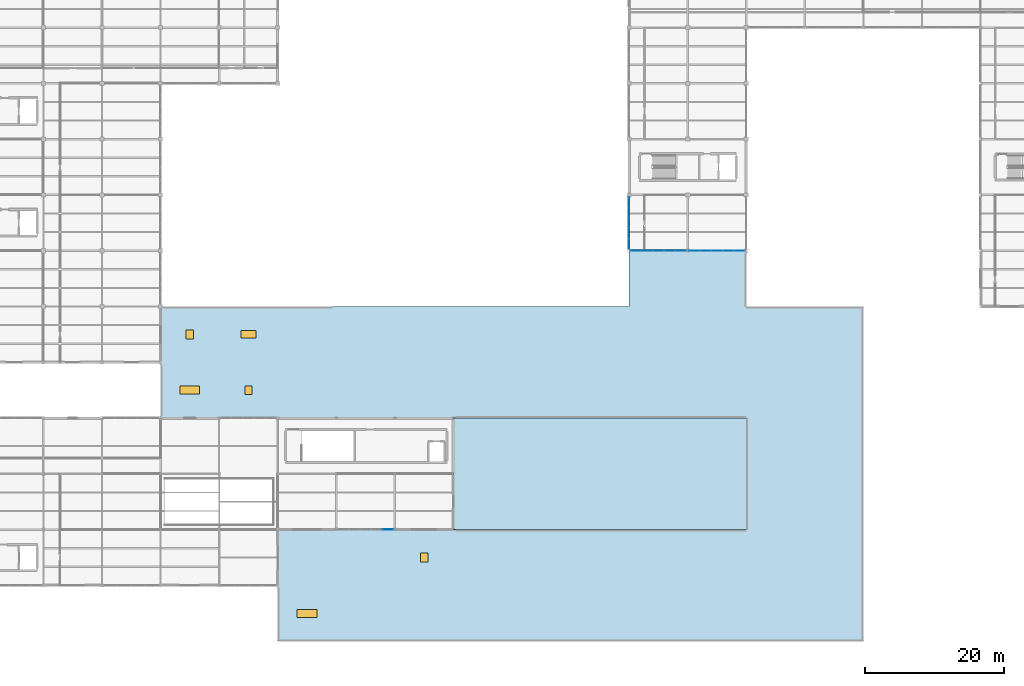
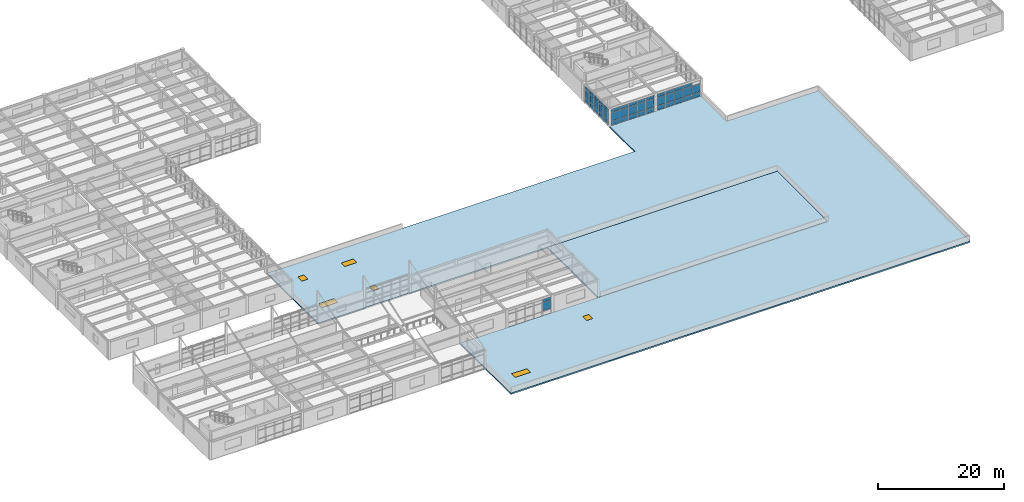
# One storey, part 38 of 96: 46 plates, 3 doors, 3 windows, 2 slabs, 6 openings, 4 elements without a shape of their own.
"""IFC4 building model written with IfcOpenShell, lengths in metres."""

from ifc_helpers import new_model, si_unit, direction, frame, origin, origin_2d, place, context, subcontext, project, spatial, polyline, rectangle, outline, extrude, material, layer, layer_set, type_object, element, fill, aggregate, save


model = new_model("IFC4")

# Units and contexts
model_context = context("Model", 3, precision=1e-05, world=origin(), true_north=direction((0.0, 1.0)))
body_context = subcontext(model_context, "Body", "Model", "MODEL_VIEW")
ifc_project = project(units=[si_unit("LENGTHUNIT", "METRE"), si_unit("AREAUNIT", "SQUARE_METRE"), si_unit("VOLUMEUNIT", "CUBIC_METRE"), si_unit("PLANEANGLEUNIT", "RADIAN"), si_unit("MASSUNIT", "GRAM", prefix="KILO")], contexts=[model_context])

# Site, building, storey
site_placement = place(None, origin())
site = spatial("IfcSite", under=ifc_project, at=site_placement, CompositionType="ELEMENT")
building_placement = place(site_placement, origin())
building = spatial("IfcBuilding", under=site, at=building_placement, Name="Kranzveld Transit Interchange", CompositionType="ELEMENT")
storey_placement = place(building_placement, frame((0.0, 0.0, 9.52001953125)))
storey = spatial("IfcBuildingStorey", under=building, at=storey_placement, Name="L02", CompositionType="ELEMENT", Elevation=9.52001953125)

# Slab, openings, doors, windows
ifc_material_1 = material(Name="Concrete C35/45", Category="concrete")
ifc_layer_1 = layer(ifc_material_1, 0.280029296875)
ifc_layer_set_1 = layer_set([ifc_layer_1], Name="Concrete C35/45")
slab_type_1 = type_object("IfcSlabType", Name="Bus & Concourse Roof Slab 280 C35/45", PredefinedType="ROOF", material=ifc_layer_set_1)
slab_1_placement = place(storey_placement, frame((0.0, 0.0, -0.280029296875)))
slab_1 = element("IfcSlab", 1, at=slab_1_placement, inside=storey, type_object=slab_type_1, Name="L02 Flat Roof Slab 1", PredefinedType="ROOF", context=body_context, shape_type="SweptSolid", body=[
    extrude(outline(polyline([(50.39990234375, 24.0), (75.60009765625, 24.0), (117.60009765625, 24.0), (117.60009765625, 40.0), (75.60009765625, 40.0), (50.39990234375, 40.0), (33.60009765625, 40.0), (33.60009765625, 48.0), (33.60009765625, 56.0), (58.800048828125, 56.0), (100.800048828125, 56.0), (100.800048828125, 64.0), (117.60009765625, 64.0), (117.60009765625, 56.0), (134.39990234375, 56.0), (134.39990234375, 40.0), (134.39990234375, 8.0), (50.39990234375, 8.0), (50.39990234375, 16.0), (50.39990234375, 24.0)]), holes=[polyline([(36.39990234375, 43.425048828125), (39.199951171875, 43.425048828125), (39.199951171875, 44.574951171875), (36.39990234375, 44.574951171875), (36.39990234375, 43.425048828125)]), polyline([(37.25, 51.35009765625), (38.35009765625, 51.35009765625), (38.35009765625, 52.64990234375), (37.25, 52.64990234375), (37.25, 51.35009765625)]), polyline([(45.699951171875, 43.39990234375), (46.699951171875, 43.39990234375), (46.699951171875, 44.60009765625), (45.699951171875, 44.60009765625), (45.699951171875, 43.39990234375)]), polyline([(45.10009765625, 51.449951171875), (47.300048828125, 51.449951171875), (47.300048828125, 52.550048828125), (45.10009765625, 52.550048828125), (45.10009765625, 51.449951171875)]), polyline([(53.199951171875, 11.425048828125), (56.0, 11.425048828125), (56.0, 12.574951171875), (53.199951171875, 12.574951171875), (53.199951171875, 11.425048828125)]), polyline([(70.85009765625, 19.35009765625), (71.949951171875, 19.35009765625), (71.949951171875, 20.64990234375), (70.85009765625, 20.64990234375), (70.85009765625, 19.35009765625)])]), origin(), (0.0, 0.0, 1.0), 0.280029296875),
])
opening_1_placement = place(slab_1_placement, frame((37.800048828125, 52.0, 0.0)))
opening_1 = element("IfcOpeningElement", 2, at=opening_1_placement, cuts=slab_1, Name="Opening RH-06", PredefinedType="OPENING", context=body_context, shape_type="SweptSolid", body=[
    extrude(rectangle(XDim=1.10009765625, YDim=1.300048828125, at=origin_2d()), frame((0.0, 0.0, -0.010009765625)), (0.0, 0.0, 1.0), 0.300048828125),
])
opening_2_placement = place(slab_1_placement, frame((46.199951171875, 44.0, 0.0)))
opening_2 = element("IfcOpeningElement", 3, at=opening_2_placement, cuts=slab_1, Name="Opening RH-07", PredefinedType="OPENING", context=body_context, shape_type="SweptSolid", body=[
    extrude(rectangle(XDim=1.0, YDim=1.199951171875, at=origin_2d()), frame((0.0, 0.0, -0.010009765625)), (0.0, 0.0, 1.0), 0.300048828125),
])
opening_3_placement = place(slab_1_placement, frame((71.39990234375, 20.0, 0.0)))
opening_3 = element("IfcOpeningElement", 4, at=opening_3_placement, cuts=slab_1, Name="Opening RH-08", PredefinedType="OPENING", context=body_context, shape_type="SweptSolid", body=[
    extrude(rectangle(XDim=1.10009765625, YDim=1.300048828125, at=origin_2d()), frame((0.0, 0.0, -0.010009765625)), (0.0, 0.0, 1.0), 0.300048828125),
])
opening_4_placement = place(slab_1_placement, frame((37.800048828125, 44.0, 0.0)))
opening_4 = element("IfcOpeningElement", 5, at=opening_4_placement, cuts=slab_1, Name="Opening SK-02", PredefinedType="OPENING", context=body_context, shape_type="SweptSolid", body=[
    extrude(rectangle(XDim=2.800048828125, YDim=1.14990234375, at=origin_2d()), frame((0.0, 0.0, -0.010009765625)), (0.0, 0.0, 1.0), 0.300048828125),
])
opening_5_placement = place(slab_1_placement, frame((46.199951171875, 52.0, 0.0)))
opening_5 = element("IfcOpeningElement", 6, at=opening_5_placement, cuts=slab_1, Name="Opening SK-01", PredefinedType="OPENING", context=body_context, shape_type="SweptSolid", body=[
    extrude(rectangle(XDim=2.199951171875, YDim=1.10009765625, at=origin_2d()), frame((0.0, 0.0, -0.010009765625)), (0.0, 0.0, 1.0), 0.300048828125),
])
opening_6_placement = place(slab_1_placement, frame((54.60009765625, 12.0, 0.0)))
opening_6 = element("IfcOpeningElement", 7, at=opening_6_placement, cuts=slab_1, Name="Opening SK-02", PredefinedType="OPENING", context=body_context, shape_type="SweptSolid", body=[
    extrude(rectangle(XDim=2.800048828125, YDim=1.14990234375, at=origin_2d()), frame((0.0, 0.0, -0.010009765625)), (0.0, 0.0, 1.0), 0.300048828125),
])
ifc_material_2 = material(Name="Bronze-anodised thermally broken aluminium", Category="aluminium")
door_type_1 = type_object("IfcDoorType", Name="Insulated Roof Maintenance Hatch 1000x1200", OperationType="NOTDEFINED", PredefinedType="TRAPDOOR", material=ifc_material_2)
door_1_placement = place(opening_2_placement, frame((0.0, 0.0, 0.22998046875)))
door_1 = element("IfcDoor", 8, at=door_1_placement, inside=storey, type_object=door_type_1, Name="L02 Roof Maintenance Hatch 07", OperationType="SINGLE_SWING_LEFT", OverallHeight=1.199951171875, OverallWidth=1.0, PredefinedType="TRAPDOOR", context=body_context, shape_type="SweptSolid", body=[
    extrude(rectangle(XDim=1.0, YDim=1.199951171875, at=origin_2d()), origin(), (0.0, 0.0, 1.0), 0.050048828125),
])
fill(opening_2, door_1)
ifc_material_3 = material(Name="Solar-control double glazing", Category="glass")
window_type_1 = type_object("IfcWindowType", Name="Roof Skylight Dome 2200x1100", PartitioningType="SINGLE_PANEL", PredefinedType="SKYLIGHT", material=ifc_material_3)
window_1_placement = place(opening_5_placement, frame((0.0, 0.0, 0.22998046875)))
window_1 = element("IfcWindow", 9, at=window_1_placement, inside=storey, type_object=window_type_1, Name="L02 Daylight Roof Skylight 15", OverallHeight=1.10009765625, OverallWidth=2.199951171875, PartitioningType="SINGLE_PANEL", PredefinedType="SKYLIGHT", context=body_context, shape_type="SweptSolid", body=[
    extrude(rectangle(XDim=2.199951171875, YDim=1.10009765625, at=origin_2d()), origin(), (0.0, 0.0, 1.0), 0.050048828125),
])
fill(opening_5, window_1)
ifc_material_4 = material(Name="Solar-control double glazing", Category="glass")
window_type_2 = type_object("IfcWindowType", Name="Roof Skylight Lantern 2800x1150", PartitioningType="DOUBLE_PANEL_VERTICAL", PredefinedType="SKYLIGHT", material=ifc_material_4)
window_2_placement = place(opening_4_placement, frame((0.0, 0.0, 0.22998046875)))
window_2 = element("IfcWindow", 10, at=window_2_placement, inside=storey, type_object=window_type_2, Name="L02 Daylight Roof Skylight 14", OverallHeight=1.14990234375, OverallWidth=2.800048828125, PartitioningType="DOUBLE_PANEL_VERTICAL", PredefinedType="SKYLIGHT", context=body_context, shape_type="SweptSolid", body=[
    extrude(rectangle(XDim=2.800048828125, YDim=1.14990234375, at=origin_2d()), origin(), (0.0, 0.0, 1.0), 0.050048828125),
])
fill(opening_4, window_2)
window_3_placement = place(opening_6_placement, frame((0.0, 0.0, 0.22998046875)))
window_3 = element("IfcWindow", 11, at=window_3_placement, inside=storey, type_object=window_type_2, Name="L02 Daylight Roof Skylight 16", OverallHeight=1.14990234375, OverallWidth=2.800048828125, PartitioningType="DOUBLE_PANEL_VERTICAL", PredefinedType="SKYLIGHT", context=body_context, shape_type="SweptSolid", body=[
    extrude(rectangle(XDim=2.800048828125, YDim=1.14990234375, at=origin_2d()), origin(), (0.0, 0.0, 1.0), 0.050048828125),
])
fill(opening_6, window_3)
ifc_material_5 = material(Name="Bronze-anodised thermally broken aluminium", Category="aluminium")
door_type_2 = type_object("IfcDoorType", Name="Smoke & Flat Roof Access Hatch 1100x1300", OperationType="NOTDEFINED", PredefinedType="TRAPDOOR", material=ifc_material_5)
door_2_placement = place(opening_1_placement, frame((0.0, 0.0, 0.22998046875)))
door_2 = element("IfcDoor", 12, at=door_2_placement, inside=storey, type_object=door_type_2, Name="L02 Roof Maintenance Hatch 06", OperationType="SINGLE_SWING_LEFT", OverallHeight=1.300048828125, OverallWidth=1.10009765625, PredefinedType="TRAPDOOR", context=body_context, shape_type="SweptSolid", body=[
    extrude(rectangle(XDim=1.10009765625, YDim=1.300048828125, at=origin_2d()), origin(), (0.0, 0.0, 1.0), 0.050048828125),
])
fill(opening_1, door_2)
door_3_placement = place(opening_3_placement, frame((0.0, 0.0, 0.22998046875)))
door_3 = element("IfcDoor", 13, at=door_3_placement, inside=storey, type_object=door_type_2, Name="L02 Roof Maintenance Hatch 08", OperationType="SINGLE_SWING_LEFT", OverallHeight=1.300048828125, OverallWidth=1.10009765625, PredefinedType="TRAPDOOR", context=body_context, shape_type="SweptSolid", body=[
    extrude(rectangle(XDim=1.10009765625, YDim=1.300048828125, at=origin_2d()), origin(), (0.0, 0.0, 1.0), 0.050048828125),
])
fill(opening_3, door_3)

# Curtain wall, plates
ifc_material_6 = material(Name="Bronze-anodised thermally broken aluminium", Category="aluminium")
ifc_layer_2 = layer(ifc_material_6, 0.18505859375)
ifc_layer_set_2 = layer_set([ifc_layer_2], Name="Bronze-anodised thermally broken aluminium")
curtain_wall_type_1 = type_object("IfcCurtainWallType", Name="Control Crown Observation Facade CW-5", PredefinedType="USERDEFINED", material=ifc_layer_set_2)
curtain_wall_1_placement = place(storey_placement, origin())
curtain_wall_1 = element("IfcCurtainWall", 14, at=curtain_wall_1_placement, inside=storey, type_object=curtain_wall_type_1, Name="L02 Curtain Wall 13/J-14/J", ObjectType="CURTAIN WALL", PredefinedType="USERDEFINED")
ifc_material_7 = material(Name="Solar-control double glazing", Category="glass")
ifc_layer_3 = layer(ifc_material_7, 0.035888671875)
ifc_layer_set_3 = layer_set([ifc_layer_3], Name="Solar-control double glazing")
plate_type_1 = type_object("IfcPlateType", Name="Curtain Panel Triple Glazing 36", PredefinedType="CURTAIN_PANEL", material=ifc_layer_set_3)
plate_1_placement = place(storey_placement, frame((101.80615234375, 64.0, 0.06494140625), z_axis=(0.0, 0.0, 1.0), x_axis=(1.0, 0.0, 0.0)))
plate_1 = element("IfcPlate", 15, at=plate_1_placement, type_object=plate_type_1, Name="CW-5 panel 1.1", PredefinedType="CURTAIN_PANEL", context=body_context, shape_type="SweptSolid", body=[
    extrude(rectangle(XDim=1.507568359375, YDim=0.035888671875, at=origin_2d()), origin(), (0.0, 0.0, 1.0), 0.802490234375),
])
plate_2_placement = place(storey_placement, frame((101.80615234375, 64.0, 0.932373046875), z_axis=(0.0, 0.0, 1.0), x_axis=(1.0, 0.0, 0.0)))
plate_2 = element("IfcPlate", 16, at=plate_2_placement, type_object=plate_type_1, Name="CW-5 panel 1.2", PredefinedType="CURTAIN_PANEL", context=body_context, shape_type="SweptSolid", body=[
    extrude(rectangle(XDim=1.507568359375, YDim=0.035888671875, at=origin_2d()), origin(), (0.0, 0.0, 1.0), 1.60498046875),
])
plate_3_placement = place(storey_placement, frame((101.80615234375, 64.0, 2.6025390625), z_axis=(0.0, 0.0, 1.0), x_axis=(1.0, 0.0, 0.0)))
plate_3 = element("IfcPlate", 17, at=plate_3_placement, type_object=plate_type_1, Name="CW-5 panel 1.3", PredefinedType="CURTAIN_PANEL", context=body_context, shape_type="SweptSolid", body=[
    extrude(rectangle(XDim=1.507568359375, YDim=0.035888671875, at=origin_2d()), origin(), (0.0, 0.0, 1.0), 0.6025390625),
])
plate_4_placement = place(storey_placement, frame((103.39501953125, 64.0, 0.06494140625), z_axis=(0.0, 0.0, 1.0), x_axis=(1.0, 0.0, 0.0)))
plate_4 = element("IfcPlate", 18, at=plate_4_placement, type_object=plate_type_1, Name="CW-5 panel 2.1", PredefinedType="CURTAIN_PANEL", context=body_context, shape_type="SweptSolid", body=[
    extrude(rectangle(XDim=1.5400390625, YDim=0.035888671875, at=origin_2d()), origin(), (0.0, 0.0, 1.0), 0.802490234375),
])
plate_5_placement = place(storey_placement, frame((103.39501953125, 64.0, 0.932373046875), z_axis=(0.0, 0.0, 1.0), x_axis=(1.0, 0.0, 0.0)))
plate_5 = element("IfcPlate", 19, at=plate_5_placement, type_object=plate_type_1, Name="CW-5 panel 2.2", PredefinedType="CURTAIN_PANEL", context=body_context, shape_type="SweptSolid", body=[
    extrude(rectangle(XDim=1.5400390625, YDim=0.035888671875, at=origin_2d()), origin(), (0.0, 0.0, 1.0), 1.60498046875),
])
plate_6_placement = place(storey_placement, frame((103.39501953125, 64.0, 2.6025390625), z_axis=(0.0, 0.0, 1.0), x_axis=(1.0, 0.0, 0.0)))
plate_6 = element("IfcPlate", 20, at=plate_6_placement, type_object=plate_type_1, Name="CW-5 panel 2.3", PredefinedType="CURTAIN_PANEL", context=body_context, shape_type="SweptSolid", body=[
    extrude(rectangle(XDim=1.5400390625, YDim=0.035888671875, at=origin_2d()), origin(), (0.0, 0.0, 1.0), 0.6025390625),
])
plate_7_placement = place(storey_placement, frame((105.0, 64.0, 0.06494140625), z_axis=(0.0, 0.0, 1.0), x_axis=(1.0, 0.0, 0.0)))
plate_7 = element("IfcPlate", 21, at=plate_7_placement, type_object=plate_type_1, Name="CW-5 panel 3.1", PredefinedType="CURTAIN_PANEL", context=body_context, shape_type="SweptSolid", body=[
    extrude(rectangle(XDim=1.5400390625, YDim=0.035888671875, at=origin_2d()), origin(), (0.0, 0.0, 1.0), 0.802490234375),
])
plate_8_placement = place(storey_placement, frame((105.0, 64.0, 0.932373046875), z_axis=(0.0, 0.0, 1.0), x_axis=(1.0, 0.0, 0.0)))
plate_8 = element("IfcPlate", 22, at=plate_8_placement, type_object=plate_type_1, Name="CW-5 panel 3.2", PredefinedType="CURTAIN_PANEL", context=body_context, shape_type="SweptSolid", body=[
    extrude(rectangle(XDim=1.5400390625, YDim=0.035888671875, at=origin_2d()), origin(), (0.0, 0.0, 1.0), 1.60498046875),
])
plate_9_placement = place(storey_placement, frame((105.0, 64.0, 2.6025390625), z_axis=(0.0, 0.0, 1.0), x_axis=(1.0, 0.0, 0.0)))
plate_9 = element("IfcPlate", 23, at=plate_9_placement, type_object=plate_type_1, Name="CW-5 panel 3.3", PredefinedType="CURTAIN_PANEL", context=body_context, shape_type="SweptSolid", body=[
    extrude(rectangle(XDim=1.5400390625, YDim=0.035888671875, at=origin_2d()), origin(), (0.0, 0.0, 1.0), 0.6025390625),
])
plate_10_placement = place(storey_placement, frame((106.60498046875, 64.0, 0.06494140625), z_axis=(0.0, 0.0, 1.0), x_axis=(1.0, 0.0, 0.0)))
plate_10 = element("IfcPlate", 24, at=plate_10_placement, type_object=plate_type_1, Name="CW-5 panel 4.1", PredefinedType="CURTAIN_PANEL", context=body_context, shape_type="SweptSolid", body=[
    extrude(rectangle(XDim=1.5400390625, YDim=0.035888671875, at=origin_2d()), origin(), (0.0, 0.0, 1.0), 0.802490234375),
])
plate_11_placement = place(storey_placement, frame((106.60498046875, 64.0, 0.932373046875), z_axis=(0.0, 0.0, 1.0), x_axis=(1.0, 0.0, 0.0)))
plate_11 = element("IfcPlate", 25, at=plate_11_placement, type_object=plate_type_1, Name="CW-5 panel 4.2", PredefinedType="CURTAIN_PANEL", context=body_context, shape_type="SweptSolid", body=[
    extrude(rectangle(XDim=1.5400390625, YDim=0.035888671875, at=origin_2d()), origin(), (0.0, 0.0, 1.0), 1.60498046875),
])
plate_12_placement = place(storey_placement, frame((106.60498046875, 64.0, 2.6025390625), z_axis=(0.0, 0.0, 1.0), x_axis=(1.0, 0.0, 0.0)))
plate_12 = element("IfcPlate", 26, at=plate_12_placement, type_object=plate_type_1, Name="CW-5 panel 4.3", PredefinedType="CURTAIN_PANEL", context=body_context, shape_type="SweptSolid", body=[
    extrude(rectangle(XDim=1.5400390625, YDim=0.035888671875, at=origin_2d()), origin(), (0.0, 0.0, 1.0), 0.6025390625),
])
plate_13_placement = place(storey_placement, frame((108.19384765625, 64.0, 0.06494140625), z_axis=(0.0, 0.0, 1.0), x_axis=(1.0, 0.0, 0.0)))
plate_13 = element("IfcPlate", 27, at=plate_13_placement, type_object=plate_type_1, Name="CW-5 panel 5.1", PredefinedType="CURTAIN_PANEL", context=body_context, shape_type="SweptSolid", body=[
    extrude(rectangle(XDim=1.507568359375, YDim=0.035888671875, at=origin_2d()), origin(), (0.0, 0.0, 1.0), 0.802490234375),
])
plate_14_placement = place(storey_placement, frame((108.19384765625, 64.0, 0.932373046875), z_axis=(0.0, 0.0, 1.0), x_axis=(1.0, 0.0, 0.0)))
plate_14 = element("IfcPlate", 28, at=plate_14_placement, type_object=plate_type_1, Name="CW-5 panel 5.2", PredefinedType="CURTAIN_PANEL", context=body_context, shape_type="SweptSolid", body=[
    extrude(rectangle(XDim=1.507568359375, YDim=0.035888671875, at=origin_2d()), origin(), (0.0, 0.0, 1.0), 1.60498046875),
])
plate_15_placement = place(storey_placement, frame((108.19384765625, 64.0, 2.6025390625), z_axis=(0.0, 0.0, 1.0), x_axis=(1.0, 0.0, 0.0)))
plate_15 = element("IfcPlate", 29, at=plate_15_placement, type_object=plate_type_1, Name="CW-5 panel 5.3", PredefinedType="CURTAIN_PANEL", context=body_context, shape_type="SweptSolid", body=[
    extrude(rectangle(XDim=1.507568359375, YDim=0.035888671875, at=origin_2d()), origin(), (0.0, 0.0, 1.0), 0.6025390625),
])
aggregate(curtain_wall_1, [plate_1, plate_2, plate_3, plate_4, plate_5, plate_6, plate_7, plate_8, plate_9, plate_10, plate_11, plate_12, plate_13, plate_14, plate_15])

ifc_material_8 = material(Name="Bronze-anodised thermally broken aluminium", Category="aluminium")
ifc_layer_4 = layer(ifc_material_8, 0.1650390625)
ifc_layer_set_4 = layer_set([ifc_layer_4], Name="Bronze-anodised thermally broken aluminium")
curtain_wall_type_2 = type_object("IfcCurtainWallType", Name="Sunny Court Arcade Curtain Wall CW-2", PredefinedType="USERDEFINED", material=ifc_layer_set_4)
curtain_wall_2_placement = place(storey_placement, origin())
curtain_wall_2 = element("IfcCurtainWall", 30, at=curtain_wall_2_placement, inside=storey, type_object=curtain_wall_type_2, Name="L02 Curtain Wall 13/J-13/K", ObjectType="CURTAIN WALL", PredefinedType="USERDEFINED")
ifc_material_9 = material(Name="Pretoria red-purple clinker clay face brick, 35 MPa", Category="masonry")
ifc_layer_5 = layer(ifc_material_9, 0.050048828125)
ifc_layer_set_5 = layer_set([ifc_layer_5], Name="Pretoria red-purple clinker clay face brick, 35 MPa")
plate_type_2 = type_object("IfcPlateType", Name="Curtain Spandrel Clinker Tile 50", PredefinedType="CURTAIN_PANEL", material=ifc_layer_set_5)
plate_16_placement = place(storey_placement, frame((100.800048828125, 64.954833984375, 0.06005859375), z_axis=(0.0, 0.0, 1.0), x_axis=(0.0, 1.0, 0.0)))
plate_16 = element("IfcPlate", 31, at=plate_16_placement, type_object=plate_type_2, Name="CW-2 panel 1.1", PredefinedType="CURTAIN_PANEL", context=body_context, shape_type="SweptSolid", body=[
    extrude(rectangle(XDim=1.405029296875, YDim=0.050048828125, at=origin_2d()), origin(), (0.0, 0.0, 1.0), 0.81005859375),
])
plate_17_placement = place(storey_placement, frame((100.800048828125, 64.954833984375, 0.929931640625), z_axis=(0.0, 0.0, 1.0), x_axis=(0.0, 1.0, 0.0)))
plate_17 = element("IfcPlate", 32, at=plate_17_placement, type_object=plate_type_2, Name="CW-2 panel 1.2", PredefinedType="CURTAIN_PANEL", context=body_context, shape_type="SweptSolid", body=[
    extrude(rectangle(XDim=1.405029296875, YDim=0.050048828125, at=origin_2d()), origin(), (0.0, 0.0, 1.0), 1.55859375),
])
plate_18_placement = place(storey_placement, frame((100.800048828125, 64.954833984375, 2.54833984375), z_axis=(0.0, 0.0, 1.0), x_axis=(0.0, 1.0, 0.0)))
plate_18 = element("IfcPlate", 33, at=plate_18_placement, type_object=plate_type_2, Name="CW-2 panel 1.3", PredefinedType="CURTAIN_PANEL", context=body_context, shape_type="SweptSolid", body=[
    extrude(rectangle(XDim=1.405029296875, YDim=0.050048828125, at=origin_2d()), origin(), (0.0, 0.0, 1.0), 0.610107421875),
])
plate_19_placement = place(storey_placement, frame((100.800048828125, 66.441162109375, 0.06005859375), z_axis=(0.0, 0.0, 1.0), x_axis=(0.0, 1.0, 0.0)))
plate_19 = element("IfcPlate", 34, at=plate_19_placement, type_object=plate_type_2, Name="CW-2 panel 2.1", PredefinedType="CURTAIN_PANEL", context=body_context, shape_type="SweptSolid", body=[
    extrude(rectangle(XDim=1.4375, YDim=0.050048828125, at=origin_2d()), origin(), (0.0, 0.0, 1.0), 0.81005859375),
])
plate_20_placement = place(storey_placement, frame((100.800048828125, 66.441162109375, 0.929931640625), z_axis=(0.0, 0.0, 1.0), x_axis=(0.0, 1.0, 0.0)))
plate_20 = element("IfcPlate", 35, at=plate_20_placement, type_object=plate_type_2, Name="CW-2 panel 2.2", PredefinedType="CURTAIN_PANEL", context=body_context, shape_type="SweptSolid", body=[
    extrude(rectangle(XDim=1.4375, YDim=0.050048828125, at=origin_2d()), origin(), (0.0, 0.0, 1.0), 1.55859375),
])
plate_21_placement = place(storey_placement, frame((100.800048828125, 66.441162109375, 2.54833984375), z_axis=(0.0, 0.0, 1.0), x_axis=(0.0, 1.0, 0.0)))
plate_21 = element("IfcPlate", 36, at=plate_21_placement, type_object=plate_type_2, Name="CW-2 panel 2.3", PredefinedType="CURTAIN_PANEL", context=body_context, shape_type="SweptSolid", body=[
    extrude(rectangle(XDim=1.4375, YDim=0.050048828125, at=origin_2d()), origin(), (0.0, 0.0, 1.0), 0.610107421875),
])
plate_22_placement = place(storey_placement, frame((100.800048828125, 67.943603515625, 0.06005859375), z_axis=(0.0, 0.0, 1.0), x_axis=(0.0, 1.0, 0.0)))
plate_22 = element("IfcPlate", 37, at=plate_22_placement, type_object=plate_type_2, Name="CW-2 panel 3.1", PredefinedType="CURTAIN_PANEL", context=body_context, shape_type="SweptSolid", body=[
    extrude(rectangle(XDim=1.4375, YDim=0.050048828125, at=origin_2d()), origin(), (0.0, 0.0, 1.0), 0.81005859375),
])
plate_23_placement = place(storey_placement, frame((100.800048828125, 67.943603515625, 0.929931640625), z_axis=(0.0, 0.0, 1.0), x_axis=(0.0, 1.0, 0.0)))
plate_23 = element("IfcPlate", 38, at=plate_23_placement, type_object=plate_type_2, Name="CW-2 panel 3.2", PredefinedType="CURTAIN_PANEL", context=body_context, shape_type="SweptSolid", body=[
    extrude(rectangle(XDim=1.4375, YDim=0.050048828125, at=origin_2d()), origin(), (0.0, 0.0, 1.0), 1.55859375),
])
plate_24_placement = place(storey_placement, frame((100.800048828125, 67.943603515625, 2.54833984375), z_axis=(0.0, 0.0, 1.0), x_axis=(0.0, 1.0, 0.0)))
plate_24 = element("IfcPlate", 39, at=plate_24_placement, type_object=plate_type_2, Name="CW-2 panel 3.3", PredefinedType="CURTAIN_PANEL", context=body_context, shape_type="SweptSolid", body=[
    extrude(rectangle(XDim=1.4375, YDim=0.050048828125, at=origin_2d()), origin(), (0.0, 0.0, 1.0), 0.610107421875),
])
plate_25_placement = place(storey_placement, frame((100.800048828125, 69.4462890625, 0.06005859375), z_axis=(0.0, 0.0, 1.0), x_axis=(0.0, 1.0, 0.0)))
plate_25 = element("IfcPlate", 40, at=plate_25_placement, type_object=plate_type_2, Name="CW-2 panel 4.1", PredefinedType="CURTAIN_PANEL", context=body_context, shape_type="SweptSolid", body=[
    extrude(rectangle(XDim=1.4375, YDim=0.050048828125, at=origin_2d()), origin(), (0.0, 0.0, 1.0), 0.81005859375),
])
plate_26_placement = place(storey_placement, frame((100.800048828125, 69.4462890625, 0.929931640625), z_axis=(0.0, 0.0, 1.0), x_axis=(0.0, 1.0, 0.0)))
plate_26 = element("IfcPlate", 41, at=plate_26_placement, type_object=plate_type_2, Name="CW-2 panel 4.2", PredefinedType="CURTAIN_PANEL", context=body_context, shape_type="SweptSolid", body=[
    extrude(rectangle(XDim=1.4375, YDim=0.050048828125, at=origin_2d()), origin(), (0.0, 0.0, 1.0), 1.55859375),
])
plate_27_placement = place(storey_placement, frame((100.800048828125, 69.4462890625, 2.54833984375), z_axis=(0.0, 0.0, 1.0), x_axis=(0.0, 1.0, 0.0)))
plate_27 = element("IfcPlate", 42, at=plate_27_placement, type_object=plate_type_2, Name="CW-2 panel 4.3", PredefinedType="CURTAIN_PANEL", context=body_context, shape_type="SweptSolid", body=[
    extrude(rectangle(XDim=1.4375, YDim=0.050048828125, at=origin_2d()), origin(), (0.0, 0.0, 1.0), 0.610107421875),
])
plate_28_placement = place(storey_placement, frame((100.800048828125, 70.932373046875, 0.06005859375), z_axis=(0.0, 0.0, 1.0), x_axis=(0.0, 1.0, 0.0)))
plate_28 = element("IfcPlate", 43, at=plate_28_placement, type_object=plate_type_2, Name="CW-2 panel 5.1", PredefinedType="CURTAIN_PANEL", context=body_context, shape_type="SweptSolid", body=[
    extrude(rectangle(XDim=1.405029296875, YDim=0.050048828125, at=origin_2d()), origin(), (0.0, 0.0, 1.0), 0.81005859375),
])
plate_29_placement = place(storey_placement, frame((100.800048828125, 70.932373046875, 0.929931640625), z_axis=(0.0, 0.0, 1.0), x_axis=(0.0, 1.0, 0.0)))
plate_29 = element("IfcPlate", 44, at=plate_29_placement, type_object=plate_type_2, Name="CW-2 panel 5.2", PredefinedType="CURTAIN_PANEL", context=body_context, shape_type="SweptSolid", body=[
    extrude(rectangle(XDim=1.405029296875, YDim=0.050048828125, at=origin_2d()), origin(), (0.0, 0.0, 1.0), 1.55859375),
])
plate_30_placement = place(storey_placement, frame((100.800048828125, 70.932373046875, 2.54833984375), z_axis=(0.0, 0.0, 1.0), x_axis=(0.0, 1.0, 0.0)))
plate_30 = element("IfcPlate", 45, at=plate_30_placement, type_object=plate_type_2, Name="CW-2 panel 5.3", PredefinedType="CURTAIN_PANEL", context=body_context, shape_type="SweptSolid", body=[
    extrude(rectangle(XDim=1.405029296875, YDim=0.050048828125, at=origin_2d()), origin(), (0.0, 0.0, 1.0), 0.610107421875),
])
aggregate(curtain_wall_2, [plate_16, plate_17, plate_18, plate_19, plate_20, plate_21, plate_22, plate_23, plate_24, plate_25, plate_26, plate_27, plate_28, plate_29, plate_30])

ifc_material_10 = material(Name="Bronze-anodised thermally broken aluminium", Category="aluminium")
ifc_layer_6 = layer(ifc_material_10, 0.155029296875)
ifc_layer_set_6 = layer_set([ifc_layer_6], Name="Bronze-anodised thermally broken aluminium")
curtain_wall_type_3 = type_object("IfcCurtainWallType", Name="Operations Courtyard Glazed Screen CW-6", PredefinedType="USERDEFINED", material=ifc_layer_set_6)
curtain_wall_3_placement = place(storey_placement, origin())
curtain_wall_3 = element("IfcCurtainWall", 46, at=curtain_wall_3_placement, inside=storey, type_object=curtain_wall_type_3, Name="L02 Curtain Wall 08/D-09/D", ObjectType="CURTAIN WALL", PredefinedType="USERDEFINED")
ifc_material_11 = material(Name="Ochre Pretoria sandstone cladding, 45 MPa", Category="masonry")
ifc_layer_7 = layer(ifc_material_11, 0.0458984375)
ifc_layer_set_7 = layer_set([ifc_layer_7], Name="Ochre Pretoria sandstone cladding, 45 MPa")
plate_type_3 = type_object("IfcPlateType", Name="Curtain Spandrel Sandstone 46", PredefinedType="CURTAIN_PANEL", material=ifc_layer_set_7)
plate_31_placement = place(storey_placement, frame((66.19384765625, 24.0, 0.9296875), z_axis=(0.0, 0.0, 1.0), x_axis=(1.0, 0.0, 0.0)))
plate_31 = element("IfcPlate", 47, at=plate_31_placement, type_object=plate_type_3, Name="CW-6 panel 5.2", PredefinedType="CURTAIN_PANEL", context=body_context, shape_type="SweptSolid", body=[
    extrude(rectangle(XDim=1.507568359375, YDim=0.0458984375, at=origin_2d()), origin(), (0.0, 0.0, 1.0), 1.610107421875),
])
plate_32_placement = place(storey_placement, frame((66.19384765625, 24.0, 2.60009765625), z_axis=(0.0, 0.0, 1.0), x_axis=(1.0, 0.0, 0.0)))
plate_32 = element("IfcPlate", 48, at=plate_32_placement, type_object=plate_type_3, Name="CW-6 panel 5.3", PredefinedType="CURTAIN_PANEL", context=body_context, shape_type="SweptSolid", body=[
    extrude(rectangle(XDim=1.507568359375, YDim=0.0458984375, at=origin_2d()), origin(), (0.0, 0.0, 1.0), 0.610107421875),
])
aggregate(curtain_wall_3, [plate_31, plate_32])

curtain_wall_4_placement = place(storey_placement, origin())
curtain_wall_4 = element("IfcCurtainWall", 49, at=curtain_wall_4_placement, inside=storey, type_object=curtain_wall_type_3, Name="L02 Curtain Wall 14/J-15/J", ObjectType="CURTAIN WALL", PredefinedType="USERDEFINED")
plate_33_placement = place(storey_placement, frame((110.2060546875, 64.0, 0.06005859375), z_axis=(0.0, 0.0, 1.0), x_axis=(1.0, 0.0, 0.0)))
plate_33 = element("IfcPlate", 50, at=plate_33_placement, type_object=plate_type_3, Name="CW-6 panel 1.1", PredefinedType="CURTAIN_PANEL", context=body_context, shape_type="SweptSolid", body=[
    extrude(rectangle(XDim=1.507568359375, YDim=0.0458984375, at=origin_2d()), origin(), (0.0, 0.0, 1.0), 0.81005859375),
])
plate_34_placement = place(storey_placement, frame((110.2060546875, 64.0, 0.9296875), z_axis=(0.0, 0.0, 1.0), x_axis=(1.0, 0.0, 0.0)))
plate_34 = element("IfcPlate", 51, at=plate_34_placement, type_object=plate_type_3, Name="CW-6 panel 1.2", PredefinedType="CURTAIN_PANEL", context=body_context, shape_type="SweptSolid", body=[
    extrude(rectangle(XDim=1.507568359375, YDim=0.0458984375, at=origin_2d()), origin(), (0.0, 0.0, 1.0), 1.610107421875),
])
plate_35_placement = place(storey_placement, frame((110.2060546875, 64.0, 2.60009765625), z_axis=(0.0, 0.0, 1.0), x_axis=(1.0, 0.0, 0.0)))
plate_35 = element("IfcPlate", 52, at=plate_35_placement, type_object=plate_type_3, Name="CW-6 panel 1.3", PredefinedType="CURTAIN_PANEL", context=body_context, shape_type="SweptSolid", body=[
    extrude(rectangle(XDim=1.507568359375, YDim=0.0458984375, at=origin_2d()), origin(), (0.0, 0.0, 1.0), 0.610107421875),
])
plate_36_placement = place(storey_placement, frame((111.794921875, 64.0, 0.06005859375), z_axis=(0.0, 0.0, 1.0), x_axis=(1.0, 0.0, 0.0)))
plate_36 = element("IfcPlate", 53, at=plate_36_placement, type_object=plate_type_3, Name="CW-6 panel 2.1", PredefinedType="CURTAIN_PANEL", context=body_context, shape_type="SweptSolid", body=[
    extrude(rectangle(XDim=1.5400390625, YDim=0.0458984375, at=origin_2d()), origin(), (0.0, 0.0, 1.0), 0.81005859375),
])
plate_37_placement = place(storey_placement, frame((111.794921875, 64.0, 0.9296875), z_axis=(0.0, 0.0, 1.0), x_axis=(1.0, 0.0, 0.0)))
plate_37 = element("IfcPlate", 54, at=plate_37_placement, type_object=plate_type_3, Name="CW-6 panel 2.2", PredefinedType="CURTAIN_PANEL", context=body_context, shape_type="SweptSolid", body=[
    extrude(rectangle(XDim=1.5400390625, YDim=0.0458984375, at=origin_2d()), origin(), (0.0, 0.0, 1.0), 1.610107421875),
])
plate_38_placement = place(storey_placement, frame((111.794921875, 64.0, 2.60009765625), z_axis=(0.0, 0.0, 1.0), x_axis=(1.0, 0.0, 0.0)))
plate_38 = element("IfcPlate", 55, at=plate_38_placement, type_object=plate_type_3, Name="CW-6 panel 2.3", PredefinedType="CURTAIN_PANEL", context=body_context, shape_type="SweptSolid", body=[
    extrude(rectangle(XDim=1.5400390625, YDim=0.0458984375, at=origin_2d()), origin(), (0.0, 0.0, 1.0), 0.610107421875),
])
plate_39_placement = place(storey_placement, frame((113.39990234375, 64.0, 0.06005859375), z_axis=(0.0, 0.0, 1.0), x_axis=(1.0, 0.0, 0.0)))
plate_39 = element("IfcPlate", 56, at=plate_39_placement, type_object=plate_type_3, Name="CW-6 panel 3.1", PredefinedType="CURTAIN_PANEL", context=body_context, shape_type="SweptSolid", body=[
    extrude(rectangle(XDim=1.5400390625, YDim=0.0458984375, at=origin_2d()), origin(), (0.0, 0.0, 1.0), 0.81005859375),
])
plate_40_placement = place(storey_placement, frame((113.39990234375, 64.0, 0.9296875), z_axis=(0.0, 0.0, 1.0), x_axis=(1.0, 0.0, 0.0)))
plate_40 = element("IfcPlate", 57, at=plate_40_placement, type_object=plate_type_3, Name="CW-6 panel 3.2", PredefinedType="CURTAIN_PANEL", context=body_context, shape_type="SweptSolid", body=[
    extrude(rectangle(XDim=1.5400390625, YDim=0.0458984375, at=origin_2d()), origin(), (0.0, 0.0, 1.0), 1.610107421875),
])
plate_41_placement = place(storey_placement, frame((113.39990234375, 64.0, 2.60009765625), z_axis=(0.0, 0.0, 1.0), x_axis=(1.0, 0.0, 0.0)))
plate_41 = element("IfcPlate", 58, at=plate_41_placement, type_object=plate_type_3, Name="CW-6 panel 3.3", PredefinedType="CURTAIN_PANEL", context=body_context, shape_type="SweptSolid", body=[
    extrude(rectangle(XDim=1.5400390625, YDim=0.0458984375, at=origin_2d()), origin(), (0.0, 0.0, 1.0), 0.610107421875),
])
plate_42_placement = place(storey_placement, frame((115.005126953125, 64.0, 0.06005859375), z_axis=(0.0, 0.0, 1.0), x_axis=(1.0, 0.0, 0.0)))
plate_42 = element("IfcPlate", 59, at=plate_42_placement, type_object=plate_type_3, Name="CW-6 panel 4.1", PredefinedType="CURTAIN_PANEL", context=body_context, shape_type="SweptSolid", body=[
    extrude(rectangle(XDim=1.5400390625, YDim=0.0458984375, at=origin_2d()), origin(), (0.0, 0.0, 1.0), 0.81005859375),
])
plate_43_placement = place(storey_placement, frame((115.005126953125, 64.0, 0.9296875), z_axis=(0.0, 0.0, 1.0), x_axis=(1.0, 0.0, 0.0)))
plate_43 = element("IfcPlate", 60, at=plate_43_placement, type_object=plate_type_3, Name="CW-6 panel 4.2", PredefinedType="CURTAIN_PANEL", context=body_context, shape_type="SweptSolid", body=[
    extrude(rectangle(XDim=1.5400390625, YDim=0.0458984375, at=origin_2d()), origin(), (0.0, 0.0, 1.0), 1.610107421875),
])
plate_44_placement = place(storey_placement, frame((115.005126953125, 64.0, 2.60009765625), z_axis=(0.0, 0.0, 1.0), x_axis=(1.0, 0.0, 0.0)))
plate_44 = element("IfcPlate", 61, at=plate_44_placement, type_object=plate_type_3, Name="CW-6 panel 4.3", PredefinedType="CURTAIN_PANEL", context=body_context, shape_type="SweptSolid", body=[
    extrude(rectangle(XDim=1.5400390625, YDim=0.0458984375, at=origin_2d()), origin(), (0.0, 0.0, 1.0), 0.610107421875),
])
plate_45_placement = place(storey_placement, frame((116.593994140625, 64.0, 0.06005859375), z_axis=(0.0, 0.0, 1.0), x_axis=(1.0, 0.0, 0.0)))
plate_45 = element("IfcPlate", 62, at=plate_45_placement, type_object=plate_type_3, Name="CW-6 panel 5.1", PredefinedType="CURTAIN_PANEL", context=body_context, shape_type="SweptSolid", body=[
    extrude(rectangle(XDim=1.507568359375, YDim=0.0458984375, at=origin_2d()), origin(), (0.0, 0.0, 1.0), 0.81005859375),
])
plate_46_placement = place(storey_placement, frame((116.593994140625, 64.0, 0.9296875), z_axis=(0.0, 0.0, 1.0), x_axis=(1.0, 0.0, 0.0)))
plate_46 = element("IfcPlate", 63, at=plate_46_placement, type_object=plate_type_3, Name="CW-6 panel 5.2", PredefinedType="CURTAIN_PANEL", context=body_context, shape_type="SweptSolid", body=[
    extrude(rectangle(XDim=1.507568359375, YDim=0.0458984375, at=origin_2d()), origin(), (0.0, 0.0, 1.0), 1.610107421875),
])
aggregate(curtain_wall_4, [plate_33, plate_34, plate_35, plate_36, plate_37, plate_38, plate_39, plate_40, plate_41, plate_42, plate_43, plate_44, plate_45, plate_46])

# Slab
ifc_material_12 = material(Name="Concrete C35/45", Category="concrete")
ifc_layer_8 = layer(ifc_material_12, 0.280029296875)
ifc_layer_set_8 = layer_set([ifc_layer_8], Name="Concrete C35/45")
slab_type_2 = type_object("IfcSlabType", Name="Planted Terrace Slab 280 C35/45", PredefinedType="FLOOR", material=ifc_layer_set_8)
slab_2_placement = place(storey_placement, frame((0.0, 0.0, -0.280029296875)))
element("IfcSlab", 64, at=slab_2_placement, inside=storey, type_object=slab_type_2, Name="L02 Walkable Terrace TERR_L02_BUS", PredefinedType="FLOOR", context=body_context, shape_type="SweptSolid", body=[
    extrude(outline(polyline([(117.60009765625, 24.0), (117.60009765625, 40.0), (75.60009765625, 40.0), (75.60009765625, 24.0), (117.60009765625, 24.0)])), origin(), (0.0, 0.0, 1.0), 0.280029296875),
])

save(model, "model.ifc")
